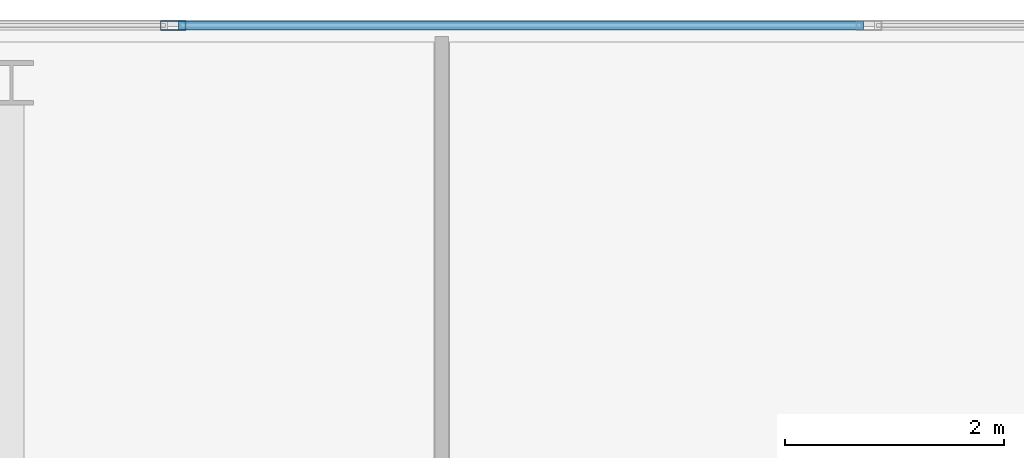
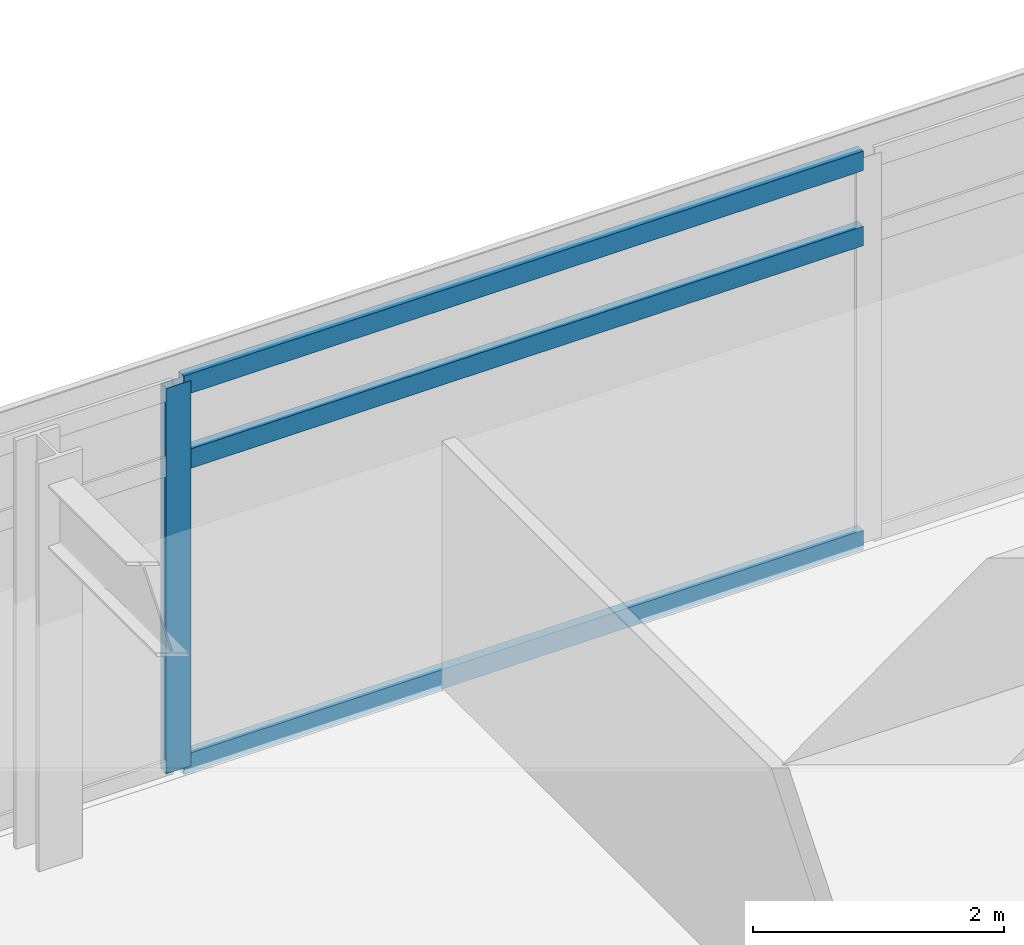
# One storey, part 9 of 23: 4 members, 1 element without a shape of its own.
"""IFC4 building model written with IfcOpenShell, lengths in metres."""

from ifc_helpers import new_model, si_unit, direction, frame, origin, origin_2d, place, context, subcontext, project, spatial, hollow_rectangle, extrude, material, material_profile, profile_set, type_object, element, aggregate, save


model = new_model("IFC4")

# Units and contexts
model_context = context("Model", 3, precision=1e-05, world=origin(), true_north=direction((0.0, 1.0)))
body_context = subcontext(model_context, "Body", "Model", "MODEL_VIEW")
ifc_project = project(units=[si_unit("LENGTHUNIT", "METRE"), si_unit("AREAUNIT", "SQUARE_METRE"), si_unit("VOLUMEUNIT", "CUBIC_METRE"), si_unit("PLANEANGLEUNIT", "RADIAN"), si_unit("MASSUNIT", "GRAM", prefix="KILO")], contexts=[model_context])

# Site, building, storey
site_placement = place(None, origin())
site = spatial("IfcSite", under=ifc_project, at=site_placement, CompositionType="ELEMENT")
building_placement = place(site_placement, origin())
building = spatial("IfcBuilding", under=site, at=building_placement, Name="Kovane Verandah Tower", CompositionType="ELEMENT")
storey_placement = place(building_placement, frame((0.0, 0.0, 267.199951171875)))
storey = spatial("IfcBuildingStorey", under=building, at=storey_placement, Name="L62", CompositionType="ELEMENT", Elevation=267.199951171875)

# Curtain wall, members
ifc_material_1 = material(Name="Champagne Anodised Aluminium Frame with Low-E Clear Laminated Glass", Category="aluminium")
curtain_wall_type = type_object("IfcCurtainWallType", Name="CW-SYS-05-HIGH", PredefinedType="NOTDEFINED", material=ifc_material_1)
curtain_wall_placement = place(storey_placement, origin())
curtain_wall = element("IfcCurtainWall", 1, at=curtain_wall_placement, inside=storey, type_object=curtain_wall_type, Name="L62 N Unitised Curtain Wall", PredefinedType="NOTDEFINED")
ifc_material_2 = material(Name="Champagne Anodised Aluminium 6063-T6", Category="aluminium")
ifc_material_profile_1 = material_profile(ifc_material_2, hollow_rectangle(XDim=0.0849609375, YDim=0.22998046875, WallThickness=0.00390625, at=origin_2d()), Name="AL85x230x4")
ifc_profile_set_1 = profile_set([ifc_material_profile_1], Name="Champagne Anodised Aluminium 6063-T6")
member_type_1 = type_object("IfcMemberType", Name="CW-MUL-85x230", PredefinedType="MULLION", material=ifc_profile_set_1)
member_1_placement = place(storey_placement, frame((30.476806640625, 50.0234375, 0.02001953125), z_axis=(0.0, 0.0, 1.0), x_axis=(0.0, 1.0, 0.0)))
member_1 = element("IfcMember", 2, at=member_1_placement, type_object=member_type_1, Name="L62 N Unitised Curtain Wall Mullion 6", PredefinedType="MULLION", context=body_context, shape_type="SweptSolid", body=[
    extrude(hollow_rectangle(XDim=0.0849609375, YDim=0.22998046875, WallThickness=0.00390625, at=origin_2d()), origin(), (0.0, 0.0, 1.0), 3.7451171875),
])
ifc_material_profile_2 = material_profile(ifc_material_2, hollow_rectangle(XDim=0.0849609375, YDim=0.18994140625, WallThickness=0.00390625, at=origin_2d()), Name="AL85x190x4")
ifc_profile_set_2 = profile_set([ifc_material_profile_2], Name="Champagne Anodised Aluminium 6063-T6")
member_type_2 = type_object("IfcMemberType", Name="CW-TRN-85x190", PredefinedType="USERDEFINED", material=ifc_profile_set_2)
member_2_placement = place(storey_placement, frame((36.775634765625, 50.0234375, 0.050048828125), z_axis=(-1.0, 0.0, 0.0), x_axis=(0.0, -1.0, 0.0)))
member_2 = element("IfcMember", 3, at=member_2_placement, type_object=member_type_2, Name="L62 N Unitised Curtain Wall Transom TB Bay 5", ObjectType="TRANSOM", PredefinedType="USERDEFINED", context=body_context, shape_type="SweptSolid", body=[
    extrude(hollow_rectangle(XDim=0.0849609375, YDim=0.18994140625, WallThickness=0.00390625, at=origin_2d()), origin(), (0.0, 0.0, 1.0), 6.248779296875),
])
member_3_placement = place(storey_placement, frame((36.775634765625, 50.0234375, 3.005126953125), z_axis=(-1.0, 0.0, 0.0), x_axis=(0.0, -1.0, 0.0)))
member_3 = element("IfcMember", 4, at=member_3_placement, type_object=member_type_2, Name="L62 N Unitised Curtain Wall Transom TM Bay 5", ObjectType="TRANSOM", PredefinedType="USERDEFINED", context=body_context, shape_type="SweptSolid", body=[
    extrude(hollow_rectangle(XDim=0.0849609375, YDim=0.18994140625, WallThickness=0.00390625, at=origin_2d()), origin(), (0.0, 0.0, 1.0), 6.248779296875),
])
member_4_placement = place(storey_placement, frame((36.775634765625, 50.0234375, 3.735107421875), z_axis=(-1.0, 0.0, 0.0), x_axis=(0.0, -1.0, 0.0)))
member_4 = element("IfcMember", 5, at=member_4_placement, type_object=member_type_2, Name="L62 N Unitised Curtain Wall Transom TT Bay 5", ObjectType="TRANSOM", PredefinedType="USERDEFINED", context=body_context, shape_type="SweptSolid", body=[
    extrude(hollow_rectangle(XDim=0.0849609375, YDim=0.18994140625, WallThickness=0.00390625, at=origin_2d()), origin(), (0.0, 0.0, 1.0), 6.248779296875),
])
aggregate(curtain_wall, [member_1, member_2, member_3, member_4])

save(model, "model.ifc")
